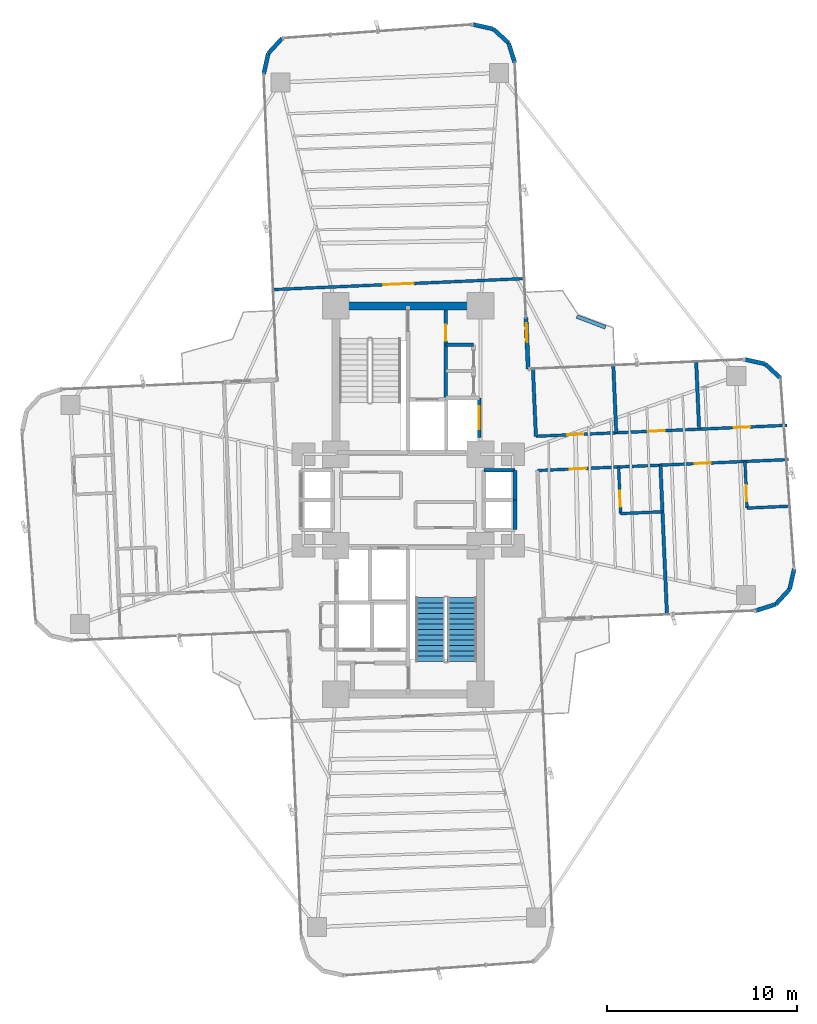
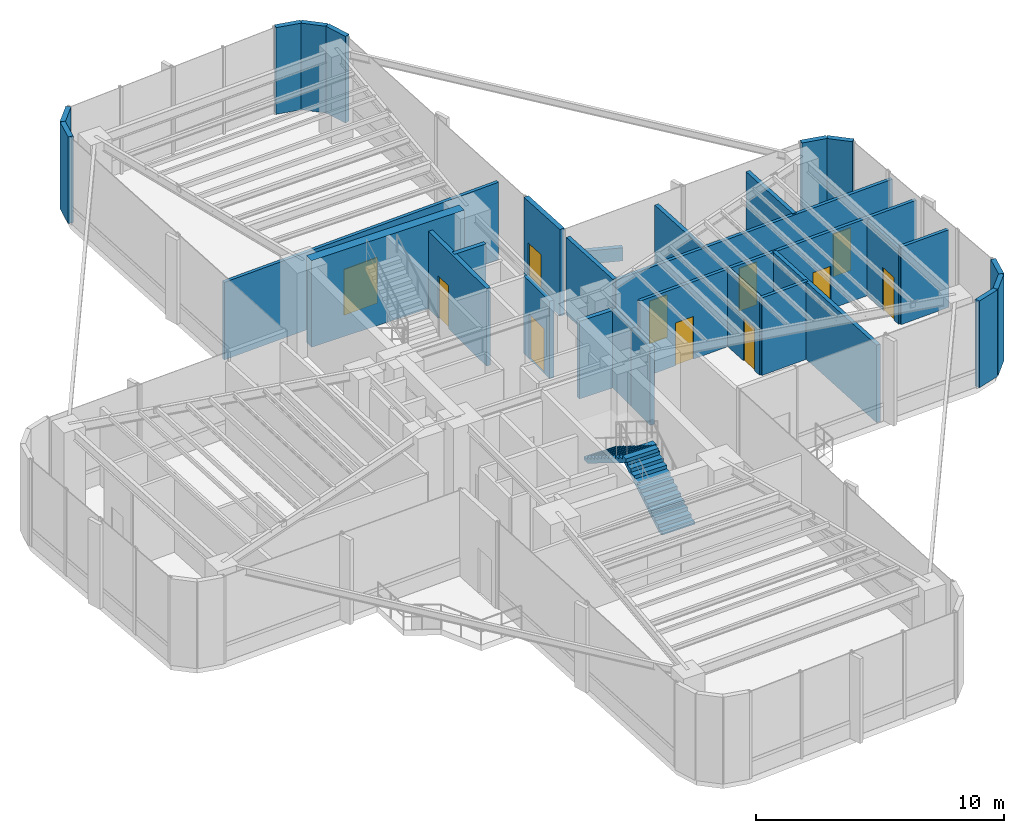
# One storey, part 21 of 23: 30 walls, 11 doors, 2 stair flights, 11 openings, 1 element without a shape of its own.
"""IFC4 building model written with IfcOpenShell, lengths in metres."""

from ifc_helpers import new_model, si_unit, direction, frame, frame_2d, origin, origin_2d, place, context, subcontext, project, spatial, polyline, rectangle, outline, extrude, source, transform, mapped, material, layer, layer_set, type_object, element, fill, aggregate, save


model = new_model("IFC4")

# Units and contexts
model_context = context("Model", 3, precision=1e-05, world=origin(), true_north=direction((0.0, 1.0)))
body_context = subcontext(model_context, "Body", "Model", "MODEL_VIEW")
ifc_project = project(units=[si_unit("LENGTHUNIT", "METRE"), si_unit("AREAUNIT", "SQUARE_METRE"), si_unit("VOLUMEUNIT", "CUBIC_METRE"), si_unit("PLANEANGLEUNIT", "RADIAN"), si_unit("MASSUNIT", "GRAM", prefix="KILO")], contexts=[model_context])

# Site, building, storey
site_placement = place(None, origin())
site = spatial("IfcSite", under=ifc_project, at=site_placement, CompositionType="ELEMENT")
building_placement = place(site_placement, origin())
building = spatial("IfcBuilding", under=site, at=building_placement, Name="Sahyath Konkavel Grand Hotel", CompositionType="ELEMENT")
storey_placement = place(building_placement, frame((0.0, 0.0, 106.949951171875)))
storey = spatial("IfcBuildingStorey", under=building, at=storey_placement, Name="L29", CompositionType="ELEMENT", Elevation=106.949951171875)

# Walls
ifc_material_1 = material(Name="Concrete C50/60", Category="concrete")
ifc_layer_1 = layer(ifc_material_1, 0.419921875)
ifc_layer_set_1 = layer_set([ifc_layer_1], Name="Concrete C50/60")
wall_type_1 = type_object("IfcWallType", Name="CWALL-420", PredefinedType="SHEAR", material=ifc_layer_set_1)
wall_1_placement = place(storey_placement, frame((-3.550048828125, 10.199951171875, 0.0), z_axis=(0.0, 0.0, 1.0), x_axis=(1.0, 0.0, 0.0)))
element("IfcWall", 1, at=wall_1_placement, inside=storey, type_object=wall_type_1, Name="L29 North Core Shear Wall N", PredefinedType="SHEAR", context=body_context, shape_type="SweptSolid", body=[
    extrude(rectangle(XDim=7.10009765625, YDim=0.419921875, at=frame_2d((3.550048828125, 0.0))), origin(), (0.0, 0.0, 1.0), 4.260009765625),
])
ifc_material_2 = material(Name="Warm Buff Sandstone Insulated Concrete C40/50", Category="masonry")
ifc_layer_2 = layer(ifc_material_2, 0.219970703125)
ifc_layer_set_2 = layer_set([ifc_layer_2], Name="Warm Buff Sandstone Insulated Concrete C40/50")
wall_type_2 = type_object("IfcWallType", Name="WLL-BALC-THRESH", PredefinedType="STANDARD", material=ifc_layer_set_2)
for number, where, z_axis, x_axis, name in (
    (2, (18.270751953125, -5.80859375, 0.0), (0.0, 0.0, 1.0), (0.953721713582, 0.30069069331, 0.0), "L29 Rounded Corner Sandstone Pier 1"),
    (3, (19.3076171875, -5.481689453125, 0.0), (0.0, 0.0, 1.0), (0.675551721847, 0.737312600672, 0.0), "L29 Rounded Corner Sandstone Pier 2"),
):
    element("IfcWall", number, at=place(storey_placement, frame(where, z_axis=z_axis, x_axis=x_axis)), inside=storey, type_object=wall_type_2, Name=name, PredefinedType="STANDARD", context=body_context, shape_type="SweptSolid", body=[
        extrude(rectangle(XDim=1.087158203125, YDim=0.219970703125, at=frame_2d((0.54345703125, 0.0))), origin(), (0.0, 0.0, 1.0), 4.260009765625),
    ])
for number, where, z_axis, x_axis, name in (
    (4, (20.0419921875, -4.68017578125, 0.0), (0.0, 0.0, 1.0), (0.216288323511, 0.976329535102, 0.0), "L29 Rounded Corner Sandstone Pier 3"),
    (5, (19.5576171875, 6.4091796875, 0.0), (0.0, 0.0, 1.0), (-0.737210081318, 0.675663596772, 0.0), "L29 Rounded Corner Sandstone Pier 5"),
):
    element("IfcWall", number, at=place(storey_placement, frame(where, z_axis=z_axis, x_axis=x_axis)), inside=storey, type_object=wall_type_2, Name=name, PredefinedType="STANDARD", context=body_context, shape_type="SweptSolid", body=[
        extrude(rectangle(XDim=1.0869140625, YDim=0.219970703125, at=frame_2d((0.54345703125, 0.0))), origin(), (0.0, 0.0, 1.0), 4.260009765625),
    ])
wall_2_placement = place(storey_placement, frame((18.75634765625, 7.1435546875, 0.0), z_axis=(0.0, 0.0, 1.0), x_axis=(-0.976282085775, 0.216502399514, 0.0)))
element("IfcWall", 6, at=wall_2_placement, inside=storey, type_object=wall_type_2, Name="L29 Rounded Corner Sandstone Pier 6", PredefinedType="STANDARD", context=body_context, shape_type="SweptSolid", body=[
    extrude(rectangle(XDim=1.087158203125, YDim=0.219970703125, at=frame_2d((0.54345703125, 0.0))), origin(), (0.0, 0.0, 1.0), 4.260009765625),
])

# Wall, opening, door
wall_3_placement = place(storey_placement, frame((6.305908203125, 6.881591796875, 0.0), z_axis=(0.0, 0.0, 1.0), x_axis=(-0.043672655174, 0.999045894436, 0.0)))
wall_3 = element("IfcWall", 7, at=wall_3_placement, inside=storey, type_object=wall_type_2, Name="L29 Winter-Garden Threshold Wall 8", PredefinedType="STANDARD", context=body_context, shape_type="SweptSolid", body=[
    extrude(rectangle(XDim=2.7001953125, YDim=0.219970703125, at=frame_2d((1.35009765625, 0.0))), origin(), (0.0, 0.0, 1.0), 4.260009765625),
])
opening_1_placement = place(wall_3_placement, frame((1.39990234375, 0.0, 0.0)))
opening_1 = element("IfcOpeningElement", 8, at=opening_1_placement, cuts=wall_3, Name="Opening D-TR1", PredefinedType="OPENING", context=body_context, shape_type="SweptSolid", body=[
    extrude(rectangle(XDim=1.0, YDim=2.199951171875, at=frame_2d((0.5, 1.10009765625))), frame((0.0, 0.1201171875, 0.0), z_axis=(0.0, -1.0, 0.0), x_axis=(1.0, 0.0, 0.0)), (0.0, 0.0, 1.0), 0.239990234375),
])
ifc_material_3 = material(Name="Anodised Bronze Aluminium & Low-E Glazing", Category="aluminium")
door_type_1 = type_object("IfcDoorType", Name="DR-TERRACE-1000", OperationType="NOTDEFINED", PredefinedType="DOOR", material=ifc_material_3)
shared_shape_1 = source(origin(), body_context, "Body", "SweptSolid", [
    extrude(rectangle(XDim=1.0, YDim=0.050048828125, at=origin_2d()), origin(), (0.0, 0.0, 1.0), 2.199951171875),
])
door_1_placement = place(opening_1_placement, frame((0.5, 0.0, 0.0)))
door_1 = element("IfcDoor", 9, at=door_1_placement, inside=storey, type_object=door_type_1, Name="L29 Winter-Garden Terrace Door 8", OperationType="SINGLE_SWING_LEFT", OverallHeight=2.199951171875, OverallWidth=1.0, PredefinedType="DOOR", context=body_context, shape_type="MappedRepresentation", body=[
    mapped(shared_shape_1, transform((0.0, 0.0, 0.0), scale=1.0)),
])
fill(opening_1, door_1)

# Walls
wall_4_placement = place(storey_placement, frame((5.603515625, 22.96630859375, 0.0), z_axis=(0.0, 0.0, 1.0), x_axis=(-0.300755105707, 0.953701403161, 0.0)))
element("IfcWall", 10, at=wall_4_placement, inside=storey, type_object=wall_type_2, Name="L29 Rounded Corner Sandstone Pier 9", PredefinedType="STANDARD", context=body_context, shape_type="SweptSolid", body=[
    extrude(rectangle(XDim=1.0869140625, YDim=0.219970703125, at=frame_2d((0.54345703125, 0.0))), origin(), (0.0, 0.0, 1.0), 4.260009765625),
])
wall_5_placement = place(storey_placement, frame((5.276611328125, 24.0029296875, 0.0), z_axis=(0.0, 0.0, 1.0), x_axis=(-0.737312600672, 0.675551721847, 0.0)))
element("IfcWall", 11, at=wall_5_placement, inside=storey, type_object=wall_type_2, Name="L29 Rounded Corner Sandstone Pier 10", PredefinedType="STANDARD", context=body_context, shape_type="SweptSolid", body=[
    extrude(rectangle(XDim=1.087158203125, YDim=0.219970703125, at=frame_2d((0.54345703125, 0.0))), origin(), (0.0, 0.0, 1.0), 4.260009765625),
])
for number, where, z_axis, x_axis, name in (
    (12, (4.47509765625, 24.7373046875, 0.0), (0.0, 0.0, 1.0), (-0.976271555154, 0.216549880158, 0.0), "L29 Rounded Corner Sandstone Pier 11"),
    (13, (-6.6142578125, 24.253173828125, 0.0), (0.0, 0.0, 1.0), (-0.675663596772, -0.737210081318, 0.0), "L29 Rounded Corner Sandstone Pier 13"),
):
    element("IfcWall", number, at=place(storey_placement, frame(where, z_axis=z_axis, x_axis=x_axis)), inside=storey, type_object=wall_type_2, Name=name, PredefinedType="STANDARD", context=body_context, shape_type="SweptSolid", body=[
        extrude(rectangle(XDim=1.0869140625, YDim=0.219970703125, at=frame_2d((0.54345703125, 0.0))), origin(), (0.0, 0.0, 1.0), 4.260009765625),
    ])
wall_6_placement = place(storey_placement, frame((-7.3486328125, 23.451904296875, 0.0), z_axis=(0.0, 0.0, 1.0), x_axis=(-0.216454939174, -0.976292609471, 0.0)))
element("IfcWall", 14, at=wall_6_placement, inside=storey, type_object=wall_type_2, Name="L29 Rounded Corner Sandstone Pier 14", PredefinedType="STANDARD", context=body_context, shape_type="SweptSolid", body=[
    extrude(rectangle(XDim=1.08740234375, YDim=0.219970703125, at=frame_2d((0.543701171875, 0.0))), origin(), (0.0, 0.0, 1.0), 4.260009765625),
])

# Wall, opening, door
ifc_material_4 = material(Name="Concrete C40/50", Category="concrete")
ifc_layer_3 = layer(ifc_material_4, 0.199951171875)
ifc_layer_set_3 = layer_set([ifc_layer_3], Name="Concrete C40/50")
wall_type_3 = type_object("IfcWallType", Name="WLL-CORE-200", PredefinedType="SOLIDWALL", material=ifc_layer_set_3)
wall_7_placement = place(storey_placement, frame((1.97998046875, 5.320068359375, 0.0), z_axis=(0.0, 0.0, 1.0), x_axis=(0.0, 1.0, 0.0)))
wall_7 = element("IfcWall", 15, at=wall_7_placement, inside=storey, type_object=wall_type_3, Name="L29 North Firefighting Lobby Wall E", PredefinedType="SOLIDWALL", context=body_context, shape_type="SweptSolid", body=[
    extrude(rectangle(XDim=4.659912109375, YDim=0.199951171875, at=frame_2d((2.330078125, 0.0))), origin(), (0.0, 0.0, 1.0), 3.81005859375),
])
opening_2_placement = place(wall_7_placement, frame((3.0400390625, 0.0, 0.0)))
opening_2 = element("IfcOpeningElement", 16, at=opening_2_placement, cuts=wall_7, Name="Opening D-F12D", PredefinedType="OPENING", context=body_context, shape_type="SweptSolid", body=[
    extrude(rectangle(XDim=0.85009765625, YDim=2.10009765625, at=frame_2d((0.425048828125, 1.050048828125))), frame((0.0, 0.10986328125, 0.0), z_axis=(0.0, -1.0, 0.0), x_axis=(1.0, 0.0, 0.0)), (0.0, 0.0, 1.0), 0.219970703125),
])
ifc_material_5 = material(Name="Steel E350 Core Fire Door", Category="steel")
door_type_2 = type_object("IfcDoorType", Name="DR-FD120-850", OperationType="NOTDEFINED", PredefinedType="DOOR", material=ifc_material_5)
shared_shape_2 = source(origin(), body_context, "Body", "SweptSolid", [
    extrude(rectangle(XDim=0.85009765625, YDim=0.050048828125, at=origin_2d()), origin(), (0.0, 0.0, 1.0), 2.10009765625),
])
door_2_placement = place(opening_2_placement, frame((0.425048828125, 0.0, 0.0)))
door_2 = element("IfcDoor", 17, at=door_2_placement, inside=storey, type_object=door_type_2, Name="L29 North Firefighting Lobby Door", OperationType="SINGLE_SWING_LEFT", OverallHeight=2.10009765625, OverallWidth=0.85009765625, PredefinedType="DOOR", context=body_context, shape_type="MappedRepresentation", body=[
    mapped(shared_shape_2, transform((0.0, 0.0, 0.0), scale=1.0)),
])
fill(opening_2, door_2)

wall_8_placement = place(storey_placement, frame((3.739990234375, 3.280029296875, 0.0), z_axis=(0.0, 0.0, 1.0), x_axis=(0.0, 1.0, 0.0)))
wall_8 = element("IfcWall", 18, at=wall_8_placement, inside=storey, type_object=wall_type_3, Name="L29 Partition SH-SVL1-E", PredefinedType="SOLIDWALL", context=body_context, shape_type="SweptSolid", body=[
    extrude(rectangle(XDim=2.080078125, YDim=0.199951171875, at=frame_2d((1.0400390625, 0.0))), origin(), (0.0, 0.0, 1.0), 3.81005859375),
])
opening_3_placement = place(wall_8_placement, frame((0.43994140625, 0.0, 0.0)))
opening_3 = element("IfcOpeningElement", 19, at=opening_3_placement, cuts=wall_8, Name="Opening LD-12", PredefinedType="OPENING", context=body_context, shape_type="SweptSolid", body=[
    extrude(rectangle(XDim=1.199951171875, YDim=2.199951171875, at=frame_2d((0.60009765625, 1.10009765625))), frame((0.0, 0.10986328125, 0.0), z_axis=(0.0, -1.0, 0.0), x_axis=(1.0, 0.0, 0.0)), (0.0, 0.0, 1.0), 0.219970703125),
])
ifc_material_6 = material(Name="Stainless Steel Lift Landing Door 1200", Category="steel")
door_type_3 = type_object("IfcDoorType", Name="DR-LIFT-1200", OperationType="DOUBLE_DOOR_SLIDING", PredefinedType="DOOR", material=ifc_material_6)
shared_shape_3 = source(origin(), body_context, "Body", "SweptSolid", [
    extrude(rectangle(XDim=1.199951171875, YDim=0.050048828125, at=origin_2d()), origin(), (0.0, 0.0, 1.0), 2.199951171875),
])
door_3_placement = place(opening_3_placement, frame((0.60009765625, 0.0, 0.0)))
door_3 = element("IfcDoor", 20, at=door_3_placement, inside=storey, type_object=door_type_3, Name="L29 Service Lift SVL-1 Landing Door", OperationType="DOUBLE_DOOR_SLIDING", OverallHeight=2.199951171875, OverallWidth=1.199951171875, PredefinedType="DOOR", context=body_context, shape_type="MappedRepresentation", body=[
    mapped(shared_shape_3, transform((0.0, 0.0, 0.0), scale=1.0)),
])
fill(opening_3, door_3)

# Walls
wall_9_placement = place(storey_placement, frame((3.97998046875, 1.56005859375, 0.0), z_axis=(0.0, 0.0, 1.0), x_axis=(1.0, 0.0, 0.0)))
element("IfcWall", 21, at=wall_9_placement, inside=storey, type_object=wall_type_3, Name="L29 Partition SH-PL56-N", PredefinedType="SOLIDWALL", context=body_context, shape_type="SweptSolid", body=[
    extrude(rectangle(XDim=1.64013671875, YDim=0.199951171875, at=frame_2d((0.820068359375, 0.0))), origin(), (0.0, 0.0, 1.0), 3.81005859375),
])
for number, where, z_axis, x_axis, name in (
    (22, (5.6201171875, 0.0, 0.0), (0.0, 0.0, 1.0), (0.0, 1.0, 0.0), "L29 Partition SH-PL5-E"),
    (23, (5.6201171875, -1.56005859375, 0.0), (0.0, 0.0, 1.0), (0.0, 1.0, 0.0), "L29 Partition SH-PL6-E"),
):
    element("IfcWall", number, at=place(storey_placement, frame(where, z_axis=z_axis, x_axis=x_axis)), inside=storey, type_object=wall_type_3, Name=name, PredefinedType="SOLIDWALL", context=body_context, shape_type="SweptSolid", body=[
        extrude(rectangle(XDim=1.56005859375, YDim=0.199951171875, at=frame_2d((0.780029296875, 0.0))), origin(), (0.0, 0.0, 1.0), 3.81005859375),
    ])
wall_10_placement = place(storey_placement, frame((1.97998046875, 8.14990234375, 0.0), z_axis=(0.0, 0.0, 1.0), x_axis=(1.0, 0.0, 0.0)))
element("IfcWall", 24, at=wall_10_placement, inside=storey, type_object=wall_type_3, Name="L29 Partition NC-REC-N", PredefinedType="SOLIDWALL", context=body_context, shape_type="SweptSolid", body=[
    extrude(rectangle(XDim=1.4599609375, YDim=0.199951171875, at=frame_2d((0.72998046875, 0.0))), origin(), (0.0, 0.0, 1.0), 3.81005859375),
])
ifc_material_7 = material(Name="Twin-Stud Acoustic Gypsum Plasterboard Partition")
ifc_layer_4 = layer(ifc_material_7, 0.179931640625)
ifc_layer_set_4 = layer_set([ifc_layer_4], Name="Twin-Stud Acoustic Gypsum Plasterboard Partition")
wall_type_4 = type_object("IfcWallType", Name="WLL-DEMISE-180", PredefinedType="PARTITIONING", material=ifc_layer_set_4)
wall_11_placement = place(storey_placement, frame((6.71044921875, 3.345947265625, 0.0), z_axis=(0.0, 0.0, 1.0), x_axis=(-0.043597663116, 0.999049169846, 0.0)))
element("IfcWall", 25, at=wall_11_placement, inside=storey, type_object=wall_type_4, Name="L29 Partition E-INL", PredefinedType="PARTITIONING", context=body_context, shape_type="SweptSolid", body=[
    extrude(rectangle(XDim=3.5, YDim=0.179931640625, at=frame_2d((1.75, 0.0))), origin(), (0.0, 0.0, 1.0), 3.81005859375),
])
wall_12_placement = place(storey_placement, frame((10.930419921875, 3.530029296875, 0.0), z_axis=(0.0, 0.0, 1.0), x_axis=(-0.04359462501, 0.999049302422, 0.0)))
element("IfcWall", 26, at=wall_12_placement, inside=storey, type_object=wall_type_4, Name="L29 Partition E-E1L-DEM", PredefinedType="PARTITIONING", context=body_context, shape_type="SweptSolid", body=[
    extrude(rectangle(XDim=3.500244140625, YDim=0.179931640625, at=frame_2d((1.75, 0.0))), origin(), (0.0, 0.0, 1.0), 3.81005859375),
])
wall_13_placement = place(storey_placement, frame((15.2822265625, 3.72021484375, 0.0), z_axis=(0.0, 0.0, 1.0), x_axis=(-0.043597663116, 0.999049169846, 0.0)))
element("IfcWall", 27, at=wall_13_placement, inside=storey, type_object=wall_type_4, Name="L29 Partition E-E2L-DEM", PredefinedType="PARTITIONING", context=body_context, shape_type="SweptSolid", body=[
    extrude(rectangle(XDim=3.5, YDim=0.179931640625, at=frame_2d((1.75, 0.0))), origin(), (0.0, 0.0, 1.0), 3.81005859375),
])
wall_14_placement = place(storey_placement, frame((13.250732421875, 1.82958984375, 0.0), z_axis=(0.0, 0.0, 1.0), x_axis=(0.043632821702, -0.999047634936, 0.0)))
element("IfcWall", 28, at=wall_14_placement, inside=storey, type_object=wall_type_4, Name="L29 Partition E-E1R-DEM", PredefinedType="PARTITIONING", context=body_context, shape_type="SweptSolid", body=[
    extrude(rectangle(XDim=7.7998046875, YDim=0.179931640625, at=frame_2d((3.89990234375, 0.0))), origin(), (0.0, 0.0, 1.0), 3.81005859375),
])

# Wall, openings, doors
ifc_material_8 = material(Name="Fire-Rated Gypsum Plasterboard Partition")
ifc_layer_5 = layer(ifc_material_8, 0.14990234375)
ifc_layer_set_5 = layer_set([ifc_layer_5], Name="Fire-Rated Gypsum Plasterboard Partition")
wall_type_5 = type_object("IfcWallType", Name="WLL-PART-150", PredefinedType="PARTITIONING", material=ifc_layer_set_5)
wall_15_placement = place(storey_placement, frame((6.71044921875, 3.345947265625, 0.0), z_axis=(0.0, 0.0, 1.0), x_axis=(0.999048535483, 0.04361219725, 0.0)))
wall_15 = element("IfcWall", 29, at=wall_15_placement, inside=storey, type_object=wall_type_5, Name="L29 Partition E-CL", PredefinedType="PARTITIONING", context=body_context, shape_type="SweptSolid", body=[
    extrude(rectangle(XDim=13.199951171875, YDim=0.14990234375, at=frame_2d((6.60009765625, 0.0))), origin(), (0.0, 0.0, 1.0), 3.780029296875),
])
opening_4_placement = place(wall_15_placement, frame((1.636962890625, 0.0, 0.0)))
opening_4 = element("IfcOpeningElement", 30, at=opening_4_placement, cuts=wall_15, Name="Opening D-F06D", PredefinedType="OPENING", context=body_context, shape_type="SweptSolid", body=[
    extrude(rectangle(XDim=0.85009765625, YDim=2.10009765625, at=frame_2d((0.425048828125, 1.050048828125))), frame((0.0, 0.0849609375, 0.0), z_axis=(0.0, -1.0, 0.0), x_axis=(1.0, 0.0, 0.0)), (0.0, 0.0, 1.0), 0.169921875),
])
opening_5_placement = place(wall_15_placement, frame((5.927001953125, 0.0, 0.0)))
opening_5 = element("IfcOpeningElement", 31, at=opening_5_placement, cuts=wall_15, Name="Opening D-F06D", PredefinedType="OPENING", context=body_context, shape_type="SweptSolid", body=[
    extrude(rectangle(XDim=0.85009765625, YDim=2.10009765625, at=frame_2d((0.425048828125, 1.050048828125))), frame((0.0, 0.0849609375, 0.0), z_axis=(0.0, -1.0, 0.0), x_axis=(1.0, 0.0, 0.0)), (0.0, 0.0, 1.0), 0.169921875),
])
opening_6_placement = place(wall_15_placement, frame((10.4150390625, 0.0, 0.0)))
opening_6 = element("IfcOpeningElement", 32, at=opening_6_placement, cuts=wall_15, Name="Opening D-F06D", PredefinedType="OPENING", context=body_context, shape_type="SweptSolid", body=[
    extrude(rectangle(XDim=0.85009765625, YDim=2.10009765625, at=frame_2d((0.425048828125, 1.050048828125))), frame((0.0, 0.0849609375, 0.0), z_axis=(0.0, -1.0, 0.0), x_axis=(1.0, 0.0, 0.0)), (0.0, 0.0, 1.0), 0.169921875),
])
ifc_material_9 = material(Name="Fire-Rated Shaft Access Door")
door_type_4 = type_object("IfcDoorType", Name="DR-FD60-850", OperationType="NOTDEFINED", PredefinedType="DOOR", material=ifc_material_9)
door_4_placement = place(opening_4_placement, frame((0.425048828125, 0.0, 0.0)))
door_4 = element("IfcDoor", 33, at=door_4_placement, inside=storey, type_object=door_type_4, Name="L29 Door E-E1L-D", OperationType="SINGLE_SWING_RIGHT", OverallHeight=2.10009765625, OverallWidth=0.85009765625, PredefinedType="DOOR", context=body_context, shape_type="MappedRepresentation", body=[
    mapped(shared_shape_2, transform((0.0, 0.0, 0.0), scale=1.0)),
])
fill(opening_4, door_4)
door_5_placement = place(opening_5_placement, frame((0.425048828125, 0.0, 0.0)))
door_5 = element("IfcDoor", 34, at=door_5_placement, inside=storey, type_object=door_type_4, Name="L29 Door E-E2L-D", OperationType="SINGLE_SWING_LEFT", OverallHeight=2.10009765625, OverallWidth=0.85009765625, PredefinedType="DOOR", context=body_context, shape_type="MappedRepresentation", body=[
    mapped(shared_shape_2, transform((0.0, 0.0, 0.0), scale=1.0)),
])
fill(opening_5, door_5)
door_6_placement = place(opening_6_placement, frame((0.425048828125, 0.0, 0.0)))
door_6 = element("IfcDoor", 35, at=door_6_placement, inside=storey, type_object=door_type_4, Name="L29 Door E-E3L-D", OperationType="SINGLE_SWING_RIGHT", OverallHeight=2.10009765625, OverallWidth=0.85009765625, PredefinedType="DOOR", context=body_context, shape_type="MappedRepresentation", body=[
    mapped(shared_shape_2, transform((0.0, 0.0, 0.0), scale=1.0)),
])
fill(opening_6, door_6)

wall_16_placement = place(storey_placement, frame((6.7890625, 1.547607421875, 0.0), z_axis=(0.0, 0.0, 1.0), x_axis=(0.999048500303, 0.043613003123, 0.0)))
wall_16 = element("IfcWall", 36, at=wall_16_placement, inside=storey, type_object=wall_type_5, Name="L29 Partition E-CR", PredefinedType="PARTITIONING", context=body_context, shape_type="SweptSolid", body=[
    extrude(rectangle(XDim=13.19970703125, YDim=0.14990234375, at=frame_2d((6.599853515625, 0.0))), origin(), (0.0, 0.0, 1.0), 3.81005859375),
])
opening_7_placement = place(wall_16_placement, frame((1.7099609375, 0.0, 0.0)))
opening_7 = element("IfcOpeningElement", 37, at=opening_7_placement, cuts=wall_16, Name="Opening D-F06D", PredefinedType="OPENING", context=body_context, shape_type="SweptSolid", body=[
    extrude(rectangle(XDim=0.85009765625, YDim=2.10009765625, at=frame_2d((0.425048828125, 1.050048828125))), frame((0.0, 0.0849609375, 0.0), z_axis=(0.0, -1.0, 0.0), x_axis=(1.0, 0.0, 0.0)), (0.0, 0.0, 1.0), 0.169921875),
])
opening_8_placement = place(wall_16_placement, frame((8.263916015625, 0.0, 0.0)))
opening_8 = element("IfcOpeningElement", 38, at=opening_8_placement, cuts=wall_16, Name="Opening D-F06D", PredefinedType="OPENING", context=body_context, shape_type="SweptSolid", body=[
    extrude(rectangle(XDim=0.85009765625, YDim=2.10009765625, at=frame_2d((0.425048828125, 1.050048828125))), frame((0.0, 0.0849609375, 0.0), z_axis=(0.0, -1.0, 0.0), x_axis=(1.0, 0.0, 0.0)), (0.0, 0.0, 1.0), 0.169921875),
])
door_7_placement = place(opening_7_placement, frame((0.425048828125, 0.0, 0.0)))
door_7 = element("IfcDoor", 39, at=door_7_placement, inside=storey, type_object=door_type_4, Name="L29 Door E-E1R-ED", OperationType="SINGLE_SWING_RIGHT", OverallHeight=2.10009765625, OverallWidth=0.85009765625, PredefinedType="DOOR", context=body_context, shape_type="MappedRepresentation", body=[
    mapped(shared_shape_2, transform((0.0, 0.0, 0.0), scale=1.0)),
])
fill(opening_7, door_7)
door_8_placement = place(opening_8_placement, frame((0.425048828125, 0.0, 0.0)))
door_8 = element("IfcDoor", 40, at=door_8_placement, inside=storey, type_object=door_type_4, Name="L29 Door E-E2R-ED", OperationType="SINGLE_SWING_RIGHT", OverallHeight=2.10009765625, OverallWidth=0.85009765625, PredefinedType="DOOR", context=body_context, shape_type="MappedRepresentation", body=[
    mapped(shared_shape_2, transform((0.0, 0.0, 0.0), scale=1.0)),
])
fill(opening_8, door_8)

# Wall, opening, door
wall_17_placement = place(storey_placement, frame((11.053955078125, 1.73388671875, 0.0), z_axis=(0.0, 0.0, 1.0), x_axis=(0.043644787072, -0.999047112283, 0.0)))
wall_17 = element("IfcWall", 41, at=wall_17_placement, inside=storey, type_object=wall_type_5, Name="L29 Partition E-E1R-BS", PredefinedType="PARTITIONING", context=body_context, shape_type="SweptSolid", body=[
    extrude(rectangle(XDim=2.4501953125, YDim=0.14990234375, at=frame_2d((1.22509765625, 0.0))), origin(), (0.0, 0.0, 1.0), 3.81005859375),
])
opening_9_placement = place(wall_17_placement, frame((1.25, 0.0, 0.0)))
opening_9 = element("IfcOpeningElement", 42, at=opening_9_placement, cuts=wall_17, Name="Opening D-BT85", PredefinedType="OPENING", context=body_context, shape_type="SweptSolid", body=[
    extrude(rectangle(XDim=0.85009765625, YDim=2.10009765625, at=frame_2d((0.425048828125, 1.050048828125))), frame((0.0, 0.0849609375, 0.0), z_axis=(0.0, -1.0, 0.0), x_axis=(1.0, 0.0, 0.0)), (0.0, 0.0, 1.0), 0.169921875),
])
ifc_material_10 = material(Name="Moisture-Resistant Teak Bathroom Door")
door_type_5 = type_object("IfcDoorType", Name="DR-BATH-850", OperationType="NOTDEFINED", PredefinedType="DOOR", material=ifc_material_10)
door_9_placement = place(opening_9_placement, frame((0.425048828125, 0.0, 0.0)))
door_9 = element("IfcDoor", 43, at=door_9_placement, inside=storey, type_object=door_type_5, Name="L29 Door E-E1R-BD", OperationType="SINGLE_SWING_LEFT", OverallHeight=2.10009765625, OverallWidth=0.85009765625, PredefinedType="DOOR", context=body_context, shape_type="MappedRepresentation", body=[
    mapped(shared_shape_2, transform((0.0, 0.0, 0.0), scale=1.0)),
])
fill(opening_9, door_9)

# Wall
wall_18_placement = place(storey_placement, frame((11.160888671875, -0.7138671875, 0.0), z_axis=(0.0, 0.0, 1.0), x_axis=(0.999047549714, 0.043634772954, 0.0)))
element("IfcWall", 44, at=wall_18_placement, inside=storey, type_object=wall_type_5, Name="L29 Partition E-E1R-BF", PredefinedType="PARTITIONING", context=body_context, shape_type="SweptSolid", body=[
    extrude(rectangle(XDim=2.198974609375, YDim=0.14990234375, at=frame_2d((1.099609375, 0.0))), origin(), (0.0, 0.0, 1.0), 3.81005859375),
])

# Wall, opening, door
wall_19_placement = place(storey_placement, frame((17.689697265625, 2.0234375, 0.0), z_axis=(0.0, 0.0, 1.0), x_axis=(0.043549666039, -0.999051263243, 0.0)))
wall_19 = element("IfcWall", 45, at=wall_19_placement, inside=storey, type_object=wall_type_5, Name="L29 Partition E-E2R-BS", PredefinedType="PARTITIONING", context=body_context, shape_type="SweptSolid", body=[
    extrude(rectangle(XDim=2.449951171875, YDim=0.14990234375, at=frame_2d((1.22509765625, 0.0))), origin(), (0.0, 0.0, 1.0), 3.72998046875),
])
opening_10_placement = place(wall_19_placement, frame((1.25, 0.0, 0.0)))
opening_10 = element("IfcOpeningElement", 46, at=opening_10_placement, cuts=wall_19, Name="Opening D-BT85", PredefinedType="OPENING", context=body_context, shape_type="SweptSolid", body=[
    extrude(rectangle(XDim=0.85009765625, YDim=2.10009765625, at=frame_2d((0.425048828125, 1.050048828125))), frame((0.0, 0.0849609375, 0.0), z_axis=(0.0, -1.0, 0.0), x_axis=(1.0, 0.0, 0.0)), (0.0, 0.0, 1.0), 0.169921875),
])
door_10_placement = place(opening_10_placement, frame((0.425048828125, 0.0, 0.0)))
door_10 = element("IfcDoor", 47, at=door_10_placement, inside=storey, type_object=door_type_5, Name="L29 Door E-E2R-BD", OperationType="SINGLE_SWING_LEFT", OverallHeight=2.10009765625, OverallWidth=0.85009765625, PredefinedType="DOOR", context=body_context, shape_type="MappedRepresentation", body=[
    mapped(shared_shape_2, transform((0.0, 0.0, 0.0), scale=1.0)),
])
fill(opening_10, door_10)

# Wall
wall_20_placement = place(storey_placement, frame((17.79638671875, -0.424072265625, 0.0), z_axis=(0.0, 0.0, 1.0), x_axis=(0.99904809168, 0.043622362496, 0.0)))
element("IfcWall", 48, at=wall_20_placement, inside=storey, type_object=wall_type_5, Name="L29 Partition E-E2R-BF", PredefinedType="PARTITIONING", context=body_context, shape_type="SweptSolid", body=[
    extrude(rectangle(XDim=2.2890625, YDim=0.14990234375, at=frame_2d((1.14453125, 0.0))), origin(), (0.0, 0.0, 1.0), 3.81005859375),
])

# Wall, opening, door
wall_21_placement = place(storey_placement, frame((6.048583984375, 11.625, 0.0), z_axis=(0.0, 0.0, 1.0), x_axis=(-0.999047806124, -0.043628901879, 0.0)))
wall_21 = element("IfcWall", 49, at=wall_21_placement, inside=storey, type_object=wall_type_5, Name="L29 Partition N-SAL-IN", PredefinedType="PARTITIONING", context=body_context, shape_type="SweptSolid", body=[
    extrude(rectangle(XDim=13.099853515625, YDim=0.14990234375, at=frame_2d((6.5498046875, 0.0))), origin(), (0.0, 0.0, 1.0), 3.81005859375),
])
opening_11_placement = place(wall_21_placement, frame((5.75, 0.0, 0.0)))
opening_11 = element("IfcOpeningElement", 50, at=opening_11_placement, cuts=wall_21, Name="Opening D-DB16", PredefinedType="OPENING", context=body_context, shape_type="SweptSolid", body=[
    extrude(rectangle(XDim=1.60009765625, YDim=2.25, at=frame_2d((0.800048828125, 1.125))), frame((0.0, 0.0849609375, 0.0), z_axis=(0.0, -1.0, 0.0), x_axis=(1.0, 0.0, 0.0)), (0.0, 0.0, 1.0), 0.169921875),
])
ifc_material_11 = material(Name="Double Leaf Lounge Glazed Timber Door", Category="wood")
door_type_6 = type_object("IfcDoorType", Name="DR-DBL-1600", OperationType="DOUBLE_DOOR_SINGLE_SWING", PredefinedType="DOOR", material=ifc_material_11)
shared_shape_4 = source(origin(), body_context, "Body", "SweptSolid", [
    extrude(rectangle(XDim=1.60009765625, YDim=0.050048828125, at=origin_2d()), origin(), (0.0, 0.0, 1.0), 2.25),
])
door_11_placement = place(opening_11_placement, frame((0.800048828125, 0.0, 0.0)))
door_11 = element("IfcDoor", 51, at=door_11_placement, inside=storey, type_object=door_type_6, Name="L29 Door N-SAL-D", OperationType="DOUBLE_DOOR_SINGLE_SWING", OverallHeight=2.25, OverallWidth=1.60009765625, PredefinedType="DOOR", context=body_context, shape_type="MappedRepresentation", body=[
    mapped(shared_shape_4, transform((0.0, 0.0, 0.0), scale=1.0)),
])
fill(opening_11, door_11)

# Wall
ifc_material_12 = material(Name="Warm Buff Sandstone Planter Wall", Category="masonry")
ifc_layer_6 = layer(ifc_material_12, 0.199951171875)
ifc_layer_set_6 = layer_set([ifc_layer_6], Name="Warm Buff Sandstone Planter Wall")
wall_type_6 = type_object("IfcWallType", Name="WLL-PLANTER-200", PredefinedType="PARAPET", material=ifc_layer_set_6)
wall_22_placement = place(storey_placement, frame((10.3671875, 9.06884765625, 0.0), z_axis=(0.0, 0.0, 1.0), x_axis=(-0.936235742334, 0.351372501452, 0.0)))
element("IfcWall", 52, at=wall_22_placement, inside=storey, type_object=wall_type_6, Name="L29 Sky-Garden Stone Planter PLANTER NE", PredefinedType="PARAPET", context=body_context, shape_type="SweptSolid", body=[
    extrude(rectangle(XDim=1.611328125, YDim=0.199951171875, at=frame_2d((0.8056640625, 0.0))), origin(), (0.0, 0.0, 1.0), 0.650146484375),
])

# Stair, stair flights
stair_type = type_object("IfcStairType", Name="STR-ST16-450", PredefinedType="HALF_TURN_STAIR", material=ifc_material_4)
stair_placement = place(storey_placement, origin())
stair = element("IfcStair", 53, at=stair_placement, inside=storey, type_object=stair_type, Name="L29 South Core Smokeproof Exit Stair ST-2", PredefinedType="HALF_TURN_STAIR")
stair_flight_type = type_object("IfcStairFlightType", Name="STF-ST16-450", PredefinedType="STRAIGHT", material=ifc_material_4)
stair_flight_1_placement = place(storey_placement, frame((2.840087890625, -8.47998046875, 0.0), z_axis=(0.0, 0.0, 1.0), x_axis=(0.0, 1.0, 0.0)))
stair_flight_1 = element("IfcStairFlight", 54, at=stair_flight_1_placement, type_object=stair_flight_type, Name="ST-2 flight 1", NumberOfRisers=13, NumberOfTreads=12, PredefinedType="STRAIGHT", RiserHeight=0.173076923, TreadLength=0.28, context=body_context, shape_type="SweptSolid", body=[
    extrude(outline(polyline([(0.0, 0.0), (0.0, 0.173095703125), (0.280029296875, 0.173095703125), (0.280029296875, 0.34619140625), (0.56005859375, 0.34619140625), (0.56005859375, 0.519287109375), (0.840087890625, 0.519287109375), (0.840087890625, 0.6923828125), (1.1201171875, 0.6923828125), (1.1201171875, 0.865478515625), (1.39990234375, 0.865478515625), (1.39990234375, 1.03857421875), (1.679931640625, 1.03857421875), (1.679931640625, 1.21142578125), (1.9599609375, 1.21142578125), (1.9599609375, 1.384521484375), (2.239990234375, 1.384521484375), (2.239990234375, 1.5576171875), (2.52001953125, 1.5576171875), (2.52001953125, 1.730712890625), (2.800048828125, 1.730712890625), (2.800048828125, 1.90380859375), (3.080078125, 1.90380859375), (3.080078125, 2.076904296875), (3.360107421875, 2.076904296875), (3.360107421875, 2.25), (3.360107421875, 1.900634765625), (0.28515625, 0.0), (0.0, 0.0)])), frame((0.0, 0.760009765625, 0.0), z_axis=(0.0, -1.0, 0.0), x_axis=(1.0, 0.0, 0.0)), (0.0, 0.0, 1.0), 1.52001953125),
])
stair_flight_2_placement = place(storey_placement, frame((1.159912109375, -5.1201171875, 2.25), z_axis=(0.0, 0.0, 1.0), x_axis=(0.0, -1.0, 0.0)))
stair_flight_2 = element("IfcStairFlight", 55, at=stair_flight_2_placement, type_object=stair_flight_type, Name="ST-2 flight 2", NumberOfRisers=13, NumberOfTreads=12, PredefinedType="STRAIGHT", RiserHeight=0.173076923, TreadLength=0.28, context=body_context, shape_type="SweptSolid", body=[
    extrude(outline(polyline([(0.0, 0.0), (0.0, 0.173095703125), (0.280029296875, 0.173095703125), (0.280029296875, 0.34619140625), (0.56005859375, 0.34619140625), (0.56005859375, 0.519287109375), (0.840087890625, 0.519287109375), (0.840087890625, 0.6923828125), (1.1201171875, 0.6923828125), (1.1201171875, 0.865478515625), (1.39990234375, 0.865478515625), (1.39990234375, 1.03857421875), (1.679931640625, 1.03857421875), (1.679931640625, 1.21142578125), (1.9599609375, 1.21142578125), (1.9599609375, 1.384521484375), (2.239990234375, 1.384521484375), (2.239990234375, 1.5576171875), (2.52001953125, 1.5576171875), (2.52001953125, 1.730712890625), (2.800048828125, 1.730712890625), (2.800048828125, 1.90380859375), (3.080078125, 1.90380859375), (3.080078125, 2.076904296875), (3.360107421875, 2.076904296875), (3.360107421875, 2.25), (3.360107421875, 1.900634765625), (0.28515625, 0.0), (0.0, 0.0)])), frame((0.0, 0.760009765625, 0.0), z_axis=(0.0, -1.0, 0.0), x_axis=(1.0, 0.0, 0.0)), (0.0, 0.0, 1.0), 1.52001953125),
])
aggregate(stair, [stair_flight_1, stair_flight_2])

save(model, "model.ifc")
